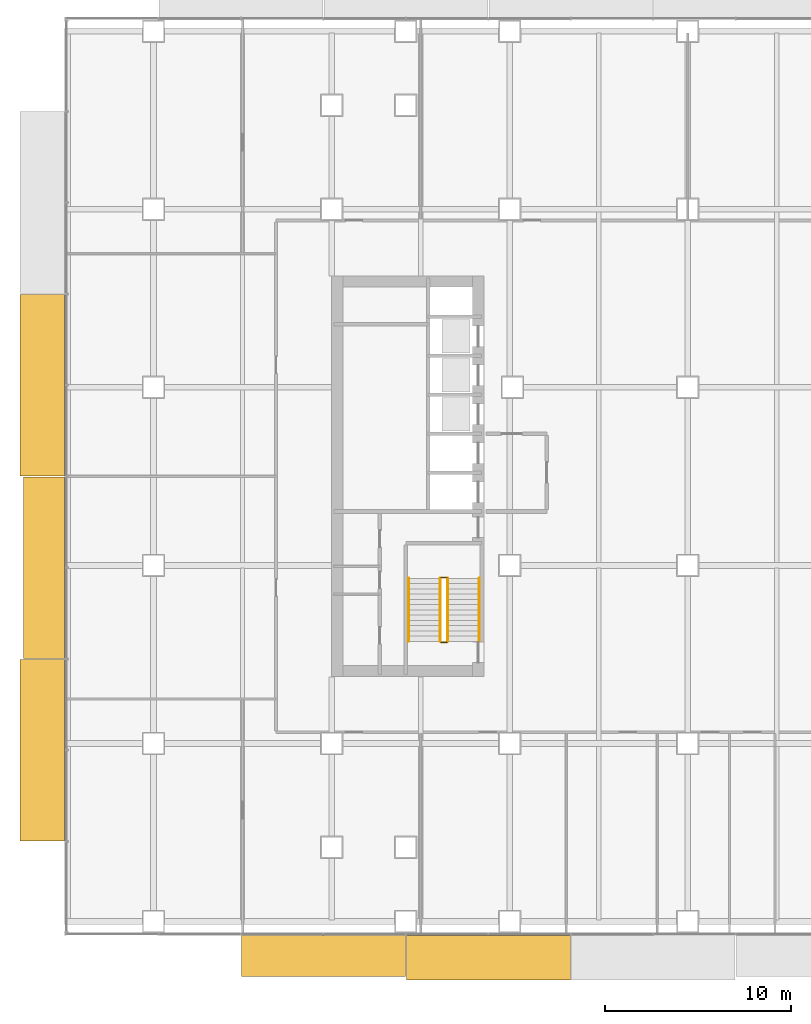
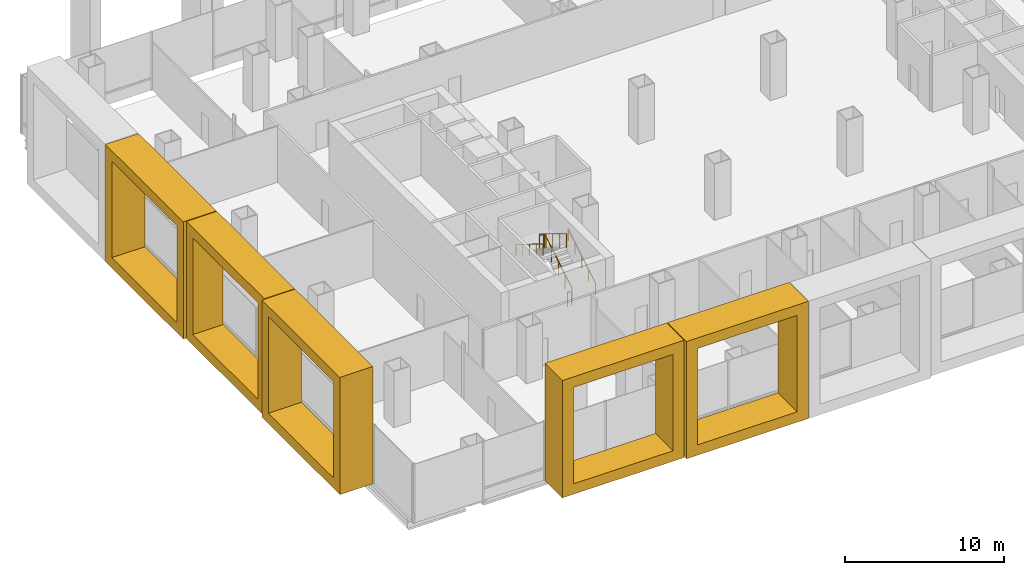
# One storey, part 20 of 23: 6 railings, 5 coverings.
"""IFC4 building model written with IfcOpenShell, lengths in metres."""

from ifc_helpers import new_model, si_unit, direction, frame, origin, origin_2d, place, context, subcontext, project, spatial, polyline, circle, outline, extrude, material, type_object, element, save


model = new_model("IFC4")

# Units and contexts
model_context = context("Model", 3, precision=1e-05, world=origin(), true_north=direction((0.0, 1.0)))
body_context = subcontext(model_context, "Body", "Model", "MODEL_VIEW")
ifc_project = project(units=[si_unit("LENGTHUNIT", "METRE"), si_unit("AREAUNIT", "SQUARE_METRE"), si_unit("VOLUMEUNIT", "CUBIC_METRE"), si_unit("PLANEANGLEUNIT", "RADIAN"), si_unit("MASSUNIT", "GRAM", prefix="KILO")], contexts=[model_context])

# Site, building, storey
site_placement = place(None, origin())
site = spatial("IfcSite", under=ifc_project, at=site_placement, CompositionType="ELEMENT")
building_placement = place(site_placement, origin())
building = spatial("IfcBuilding", under=site, at=building_placement, Name="Cobrizo Arcos Hotel Tower", CompositionType="ELEMENT")
storey_placement = place(building_placement, frame((0.0, 0.0, 24.5)))
storey = spatial("IfcBuildingStorey", under=building, at=storey_placement, Name="L04", CompositionType="ELEMENT", Elevation=24.5)

# Coverings
ifc_material_1 = material(Name="Aluminium 6063-T6 anodised bronze", Category="aluminium")
covering_type_1 = type_object("IfcCoveringType", Name="FIN-F 2200", PredefinedType="CLADDING", material=ifc_material_1)
covering_1_placement = place(storey_placement, frame((-28.864013671875, -24.75, 0.0), z_axis=(0.0, -1.0, 0.0), x_axis=(1.0, 0.0, 0.0)))
element("IfcCovering", 1, at=covering_1_placement, inside=storey, type_object=covering_type_1, Name="Fin frame 498", PredefinedType="CLADDING", context=body_context, shape_type="SweptSolid", body=[
    extrude(outline(polyline([(0.0, 9.0), (0.0, 0.0), (8.8388671875, 0.0), (8.8388671875, 9.0), (0.0, 9.0)]), holes=[polyline([(8.038818359375, 0.800048828125), (0.800048828125, 0.800048828125), (0.800048828125, 8.199951171875), (8.038818359375, 8.199951171875), (8.038818359375, 0.800048828125)])]), origin(), (0.0, 0.0, 1.0), 2.199951171875),
])
covering_2_placement = place(storey_placement, frame((-38.39990234375, -0.02490234375, 0.0), z_axis=(-1.0, 0.0, 0.0), x_axis=(0.0, -1.0, 0.0)))
element("IfcCovering", 2, at=covering_2_placement, inside=storey, type_object=covering_type_1, Name="Fin frame 511", PredefinedType="CLADDING", context=body_context, shape_type="SweptSolid", body=[
    extrude(outline(polyline([(0.0, 9.0), (0.0, 0.0), (9.7900390625, 0.0), (9.7900390625, 9.0), (0.0, 9.0)]), holes=[polyline([(8.989990234375, 0.800048828125), (0.800048828125, 0.800048828125), (0.800048828125, 8.199951171875), (8.989990234375, 8.199951171875), (8.989990234375, 0.800048828125)])]), origin(), (0.0, 0.0, 1.0), 2.2001953125),
])
covering_type_2 = type_object("IfcCoveringType", Name="FIN-F 2400", PredefinedType="CLADDING", material=ifc_material_1)
covering_3_placement = place(storey_placement, frame((-19.97509765625, -24.75, 0.0), z_axis=(0.0, -1.0, 0.0), x_axis=(1.0, 0.0, 0.0)))
element("IfcCovering", 3, at=covering_3_placement, inside=storey, type_object=covering_type_2, Name="Fin frame 499", PredefinedType="CLADDING", context=body_context, shape_type="SweptSolid", body=[
    extrude(outline(polyline([(0.0, 9.0), (0.0, 0.0), (8.8388671875, 0.0), (8.8388671875, 9.0), (0.0, 9.0)]), holes=[polyline([(8.038818359375, 0.800048828125), (0.800048828125, 0.800048828125), (0.800048828125, 8.199951171875), (8.038818359375, 8.199951171875), (8.038818359375, 0.800048828125)])]), origin(), (0.0, 0.0, 1.0), 2.39990234375),
])
for number, where, z_axis, x_axis, name in (
    (4, (-38.39990234375, 9.81494140625, 0.0), (-1.0, 0.0, 0.0), (0.0, -1.0, 0.0), "Fin frame 510"),
    (5, (-38.39990234375, -9.864990234375, 0.0), (-1.0, 0.0, 0.0), (0.0, -1.0, 0.0), "Fin frame 512"),
):
    element("IfcCovering", number, at=place(storey_placement, frame(where, z_axis=z_axis, x_axis=x_axis)), inside=storey, type_object=covering_type_2, Name=name, PredefinedType="CLADDING", context=body_context, shape_type="SweptSolid", body=[
        extrude(outline(polyline([(0.0, 9.0), (0.0, 0.0), (9.7900390625, 0.0), (9.7900390625, 9.0), (0.0, 9.0)]), holes=[polyline([(8.989990234375, 0.800048828125), (0.800048828125, 0.800048828125), (0.800048828125, 8.199951171875), (8.989990234375, 8.199951171875), (8.989990234375, 0.800048828125)])]), origin(), (0.0, 0.0, 1.0), 2.400146484375),
    ])

# Railings
ifc_material_2 = material(Name="Stainless steel railing", Category="steel")
railing_type_1 = type_object("IfcRailingType", Name="Stair guard 1100", PredefinedType="GUARDRAIL", material=ifc_material_2)
railing_1_placement = place(storey_placement, frame((-17.75, -8.89990234375, 0.173095703125)))
element("IfcRailing", 6, at=railing_1_placement, inside=storey, type_object=railing_type_1, Name="L04 ST-W stair guard 1", PredefinedType="GUARDRAIL", context=body_context, shape_type="SweptSolid", body=[
    extrude(circle(Radius=0.02392578125, at=origin_2d()), frame((0.0, 0.0, 1.076171875), z_axis=(0.0, 0.853372706543, 0.52130127923), x_axis=(-1.0, 0.0, 0.0)), (0.0, 0.0, 1.0), 3.984130859375),
    extrude(circle(Radius=0.02099609375, at=origin_2d()), origin(), (0.0, 0.0, 1.0), 1.052001953125),
    extrude(circle(Radius=0.02099609375, at=origin_2d()), frame((0.0, 0.85009765625, 0.519287109375)), (0.0, 0.0, 1.0), 1.052001953125),
    extrude(circle(Radius=0.02099609375, at=origin_2d()), frame((0.0, 1.699951171875, 1.03857421875)), (0.0, 0.0, 1.0), 1.052001953125),
    extrude(circle(Radius=0.02099609375, at=origin_2d()), frame((0.0, 2.5498046875, 1.5576171875)), (0.0, 0.0, 1.0), 1.052001953125),
    extrude(circle(Radius=0.02099609375, at=origin_2d()), frame((0.0, 3.39990234375, 2.076904296875)), (0.0, 0.0, 1.0), 1.052001953125),
])
railing_2_placement = place(storey_placement, frame((-17.800048828125, -5.449951171875, 2.25)))
element("IfcRailing", 7, at=railing_2_placement, inside=storey, type_object=railing_type_1, Name="L04 ST-W stair guard 2", PredefinedType="GUARDRAIL", context=body_context, shape_type="SweptSolid", body=[
    extrude(circle(Radius=0.02392578125, at=origin_2d()), frame((0.0, 0.0, 1.076171875), z_axis=(-1.0, 0.0, 0.0), x_axis=(0.0, -1.0, 0.0)), (0.0, 0.0, 1.0), 0.300048828125),
    extrude(circle(Radius=0.02099609375, at=origin_2d()), origin(), (0.0, 0.0, 1.0), 1.052001953125),
    extrude(circle(Radius=0.02099609375, at=origin_2d()), frame((-0.300048828125, 0.0, 0.0)), (0.0, 0.0, 1.0), 1.052001953125),
])
railing_3_placement = place(storey_placement, frame((-18.14990234375, -5.5, 2.423095703125)))
element("IfcRailing", 8, at=railing_3_placement, inside=storey, type_object=railing_type_1, Name="L04 ST-W stair guard 3", PredefinedType="GUARDRAIL", context=body_context, shape_type="SweptSolid", body=[
    extrude(circle(Radius=0.02392578125, at=origin_2d()), frame((0.0, 0.0, 1.076171875), z_axis=(0.0, -0.853372706543, 0.52130127923), x_axis=(1.0, 0.0, 0.0)), (0.0, 0.0, 1.0), 3.984130859375),
    extrude(circle(Radius=0.02099609375, at=origin_2d()), origin(), (0.0, 0.0, 1.0), 1.052001953125),
    extrude(circle(Radius=0.02099609375, at=origin_2d()), frame((0.0, -0.85009765625, 0.519287109375)), (0.0, 0.0, 1.0), 1.052001953125),
    extrude(circle(Radius=0.02099609375, at=origin_2d()), frame((0.0, -1.699951171875, 1.03857421875)), (0.0, 0.0, 1.0), 1.052001953125),
    extrude(circle(Radius=0.02099609375, at=origin_2d()), frame((0.0, -2.5498046875, 1.5576171875)), (0.0, 0.0, 1.0), 1.052001953125),
    extrude(circle(Radius=0.02099609375, at=origin_2d()), frame((0.0, -3.39990234375, 2.076904296875)), (0.0, 0.0, 1.0), 1.052001953125),
])
railing_4_placement = place(storey_placement, frame((-17.800048828125, -8.949951171875, 0.0)))
element("IfcRailing", 9, at=railing_4_placement, inside=storey, type_object=railing_type_1, Name="L04 ST-W stair guard 4", PredefinedType="GUARDRAIL", context=body_context, shape_type="SweptSolid", body=[
    extrude(circle(Radius=0.02392578125, at=origin_2d()), frame((0.0, 0.0, 1.076171875), z_axis=(-1.0, 0.0, 0.0), x_axis=(0.0, -1.0, 0.0)), (0.0, 0.0, 1.0), 0.300048828125),
    extrude(circle(Radius=0.02099609375, at=origin_2d()), origin(), (0.0, 0.0, 1.0), 1.052001953125),
    extrude(circle(Radius=0.02099609375, at=origin_2d()), frame((-0.300048828125, 0.0, 0.0)), (0.0, 0.0, 1.0), 1.052001953125),
])
railing_type_2 = type_object("IfcRailingType", Name="Stair handrail", PredefinedType="HANDRAIL", material=ifc_material_2)
railing_5_placement = place(storey_placement, frame((-16.050048828125, -8.89990234375, 0.173095703125)))
element("IfcRailing", 10, at=railing_5_placement, inside=storey, type_object=railing_type_2, Name="L04 ST-W stair handrail 1", PredefinedType="HANDRAIL", context=body_context, shape_type="SweptSolid", body=[
    extrude(circle(Radius=0.02392578125, at=origin_2d()), frame((0.0, 0.0, 0.8759765625), z_axis=(0.0, 0.853372706543, 0.52130127923), x_axis=(-1.0, 0.0, 0.0)), (0.0, 0.0, 1.0), 3.984130859375),
    extrude(circle(Radius=0.02099609375, at=origin_2d()), origin(), (0.0, 0.0, 1.0), 0.851806640625),
    extrude(circle(Radius=0.02099609375, at=origin_2d()), frame((0.0, 0.85009765625, 0.519287109375)), (0.0, 0.0, 1.0), 0.851806640625),
    extrude(circle(Radius=0.02099609375, at=origin_2d()), frame((0.0, 1.699951171875, 1.03857421875)), (0.0, 0.0, 1.0), 0.851806640625),
    extrude(circle(Radius=0.02099609375, at=origin_2d()), frame((0.0, 2.5498046875, 1.5576171875)), (0.0, 0.0, 1.0), 0.851806640625),
    extrude(circle(Radius=0.02099609375, at=origin_2d()), frame((0.0, 3.39990234375, 2.076904296875)), (0.0, 0.0, 1.0), 0.851806640625),
])
railing_6_placement = place(storey_placement, frame((-19.85009765625, -5.5, 2.423095703125)))
element("IfcRailing", 11, at=railing_6_placement, inside=storey, type_object=railing_type_2, Name="L04 ST-W stair handrail 2", PredefinedType="HANDRAIL", context=body_context, shape_type="SweptSolid", body=[
    extrude(circle(Radius=0.02392578125, at=origin_2d()), frame((0.0, 0.0, 0.8759765625), z_axis=(0.0, -0.853372706543, 0.52130127923), x_axis=(1.0, 0.0, 0.0)), (0.0, 0.0, 1.0), 3.984130859375),
    extrude(circle(Radius=0.02099609375, at=origin_2d()), origin(), (0.0, 0.0, 1.0), 0.851806640625),
    extrude(circle(Radius=0.02099609375, at=origin_2d()), frame((0.0, -0.85009765625, 0.519287109375)), (0.0, 0.0, 1.0), 0.851806640625),
    extrude(circle(Radius=0.02099609375, at=origin_2d()), frame((0.0, -1.699951171875, 1.03857421875)), (0.0, 0.0, 1.0), 0.851806640625),
    extrude(circle(Radius=0.02099609375, at=origin_2d()), frame((0.0, -2.5498046875, 1.5576171875)), (0.0, 0.0, 1.0), 0.851806640625),
    extrude(circle(Radius=0.02099609375, at=origin_2d()), frame((0.0, -3.39990234375, 2.076904296875)), (0.0, 0.0, 1.0), 0.851806640625),
])

save(model, "model.ifc")
